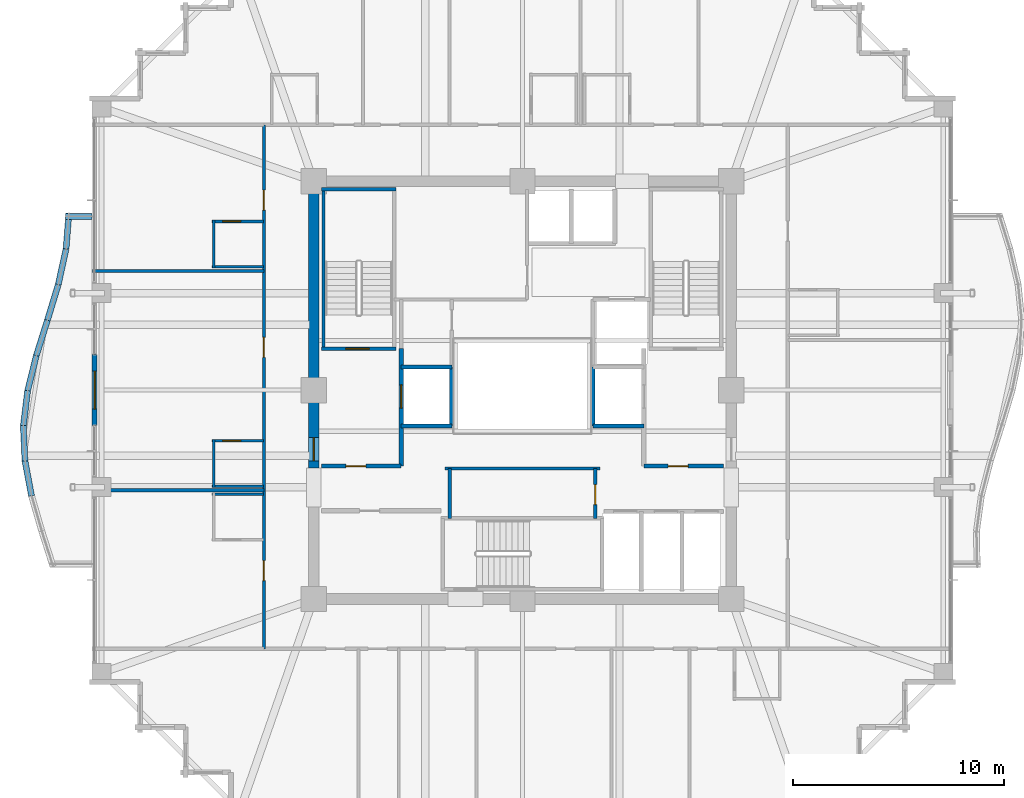
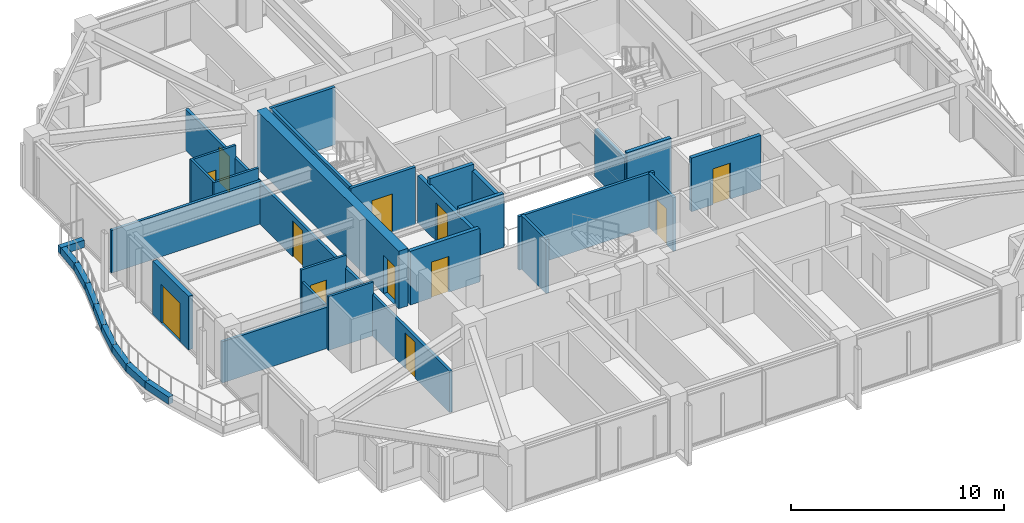
# One storey, part 30 of 35: 35 walls, 12 doors, 12 openings.
"""IFC4 building model written with IfcOpenShell, lengths in metres."""

from ifc_helpers import new_model, si_unit, direction, frame, frame_2d, origin, place, context, subcontext, project, spatial, rectangle, extrude, material, layer, layer_set, type_object, element, fill, save


model = new_model("IFC4")

# Units and contexts
model_context = context("Model", 3, precision=1e-05, world=origin(), true_north=direction((0.0, 1.0)))
body_context = subcontext(model_context, "Body", "Model", "MODEL_VIEW")
ifc_project = project(units=[si_unit("LENGTHUNIT", "METRE"), si_unit("AREAUNIT", "SQUARE_METRE"), si_unit("VOLUMEUNIT", "CUBIC_METRE"), si_unit("PLANEANGLEUNIT", "RADIAN"), si_unit("MASSUNIT", "GRAM", prefix="KILO")], contexts=[model_context])

# Site, building, storey
site_placement = place(None, origin())
site = spatial("IfcSite", under=ifc_project, at=site_placement, CompositionType="ELEMENT")
building_placement = place(site_placement, origin())
building = spatial("IfcBuilding", under=site, at=building_placement, Name="Kolvaren Belvedere", CompositionType="ELEMENT")
storey_placement = place(building_placement, frame((0.0, 0.0, 176.699951171875)))
storey = spatial("IfcBuildingStorey", under=building, at=storey_placement, Name="L51", CompositionType="ELEMENT", Elevation=176.699951171875)

# Wall, opening, door
ifc_material_1 = material(Name="Concrete C50/60", Category="concrete")
ifc_layer_1 = layer(ifc_material_1, 0.5)
ifc_layer_set_1 = layer_set([ifc_layer_1], Name="Concrete C50/60")
wall_type_1 = type_object("IfcWallType", Name="CW-CORE-500", PredefinedType="SHEAR", material=ifc_layer_set_1)
wall_1_placement = place(storey_placement, frame((-9.89990234375, -3.699951171875, 0.0), z_axis=(0.0, 0.0, 1.0), x_axis=(0.0, 1.0, 0.0)))
wall_1 = element("IfcWall", 1, at=wall_1_placement, inside=storey, type_object=wall_type_1, Name="L51 West Core Shear Wall 2", PredefinedType="SHEAR", context=body_context, shape_type="SweptSolid", body=[
    extrude(rectangle(XDim=13.349853515625, YDim=0.5, at=frame_2d((6.6748046875, 0.0))), origin(), (0.0, 0.0, 1.0), 3.300048828125),
])
opening_1_placement = place(wall_1_placement, frame((0.35009765625, 0.0, 0.0)))
opening_1 = element("IfcOpeningElement", 2, at=opening_1_placement, cuts=wall_1, Name="Opening D-FD90", PredefinedType="OPENING", context=body_context, shape_type="SweptSolid", body=[
    extrude(rectangle(XDim=1.10009765625, YDim=2.199951171875, at=frame_2d((0.550048828125, 1.10009765625))), frame((0.0, 0.260009765625, 0.0), z_axis=(0.0, -1.0, 0.0), x_axis=(1.0, 0.0, 0.0)), (0.0, 0.0, 1.0), 0.52001953125),
])
ifc_material_2 = material(Name="Painted hollow stainless steel", Category="steel")
door_type_1 = type_object("IfcDoorType", Name="DR-FD90-1100", OperationType="NOTDEFINED", PredefinedType="DOOR", material=ifc_material_2)
door_1_placement = place(opening_1_placement, origin())
door_1 = element("IfcDoor", 3, at=door_1_placement, inside=storey, type_object=door_type_1, Name="L51 West Firefighting Lobby Fire Door", OperationType="SINGLE_SWING_LEFT", OverallHeight=2.199951171875, OverallWidth=1.10009765625, PredefinedType="DOOR", context=body_context, shape_type="SweptSolid", body=[
    extrude(rectangle(XDim=1.10009765625, YDim=2.199951171875, at=frame_2d((0.550048828125, 1.10009765625))), frame((0.0, 0.02490234375, 0.0), z_axis=(0.0, -1.0, 0.0), x_axis=(1.0, 0.0, 0.0)), (0.0, 0.0, 1.0), 0.050048828125),
])
fill(opening_1, door_1)

ifc_material_3 = material(Name="Concrete C50/60", Category="concrete")
ifc_layer_2 = layer(ifc_material_3, 0.159912109375)
ifc_layer_set_2 = layer_set([ifc_layer_2], Name="Concrete C50/60")
wall_type_2 = type_object("IfcWallType", Name="CW-STAIR-160", PredefinedType="SHEAR", material=ifc_layer_set_2)
wall_2_placement = place(storey_placement, frame((-9.52001953125, 1.969970703125, 0.0), z_axis=(0.0, 0.0, 1.0), x_axis=(1.0, 0.0, 0.0)))
wall_2 = element("IfcWall", 4, at=wall_2_placement, inside=storey, type_object=wall_type_2, Name="L51 Stair ST-1 South Shear Wall", PredefinedType="SHEAR", context=body_context, shape_type="SweptSolid", body=[
    extrude(rectangle(XDim=3.52001953125, YDim=0.159912109375, at=frame_2d((1.760009765625, 0.0))), origin(), (0.0, 0.0, 1.0), 3.300048828125),
])
opening_2_placement = place(wall_2_placement, frame((1.14990234375, 0.0, 0.0)))
opening_2 = element("IfcOpeningElement", 5, at=opening_2_placement, cuts=wall_2, Name="Opening D-FD90", PredefinedType="OPENING", context=body_context, shape_type="SweptSolid", body=[
    extrude(rectangle(XDim=1.10009765625, YDim=2.199951171875, at=frame_2d((0.550048828125, 1.10009765625))), frame((0.0, 0.08984375, 0.0), z_axis=(0.0, -1.0, 0.0), x_axis=(1.0, 0.0, 0.0)), (0.0, 0.0, 1.0), 0.179931640625),
])
door_2_placement = place(opening_2_placement, origin())
door_2 = element("IfcDoor", 6, at=door_2_placement, inside=storey, type_object=door_type_1, Name="L51 Stair ST-1 Fire Door", OperationType="SINGLE_SWING_LEFT", OverallHeight=2.199951171875, OverallWidth=1.10009765625, PredefinedType="DOOR", context=body_context, shape_type="SweptSolid", body=[
    extrude(rectangle(XDim=1.10009765625, YDim=2.199951171875, at=frame_2d((0.550048828125, 1.10009765625))), frame((0.0, 0.02490234375, 0.0), z_axis=(0.0, -1.0, 0.0), x_axis=(1.0, 0.0, 0.0)), (0.0, 0.0, 1.0), 0.050048828125),
])
fill(opening_2, door_2)

# Walls
wall_3_placement = place(storey_placement, frame((-9.52001953125, 9.530029296875, 0.0), z_axis=(0.0, 0.0, 1.0), x_axis=(1.0, 0.0, 0.0)))
element("IfcWall", 7, at=wall_3_placement, inside=storey, type_object=wall_type_2, Name="L51 Stair ST-1 North Shear Wall", PredefinedType="SHEAR", context=body_context, shape_type="SweptSolid", body=[
    extrude(rectangle(XDim=3.52001953125, YDim=0.159912109375, at=frame_2d((1.760009765625, 0.0))), origin(), (0.0, 0.0, 1.0), 3.300048828125),
])
wall_4_placement = place(storey_placement, frame((-9.429931640625, 1.969970703125, 0.0), z_axis=(0.0, 0.0, 1.0), x_axis=(0.0, 1.0, 0.0)))
element("IfcWall", 8, at=wall_4_placement, inside=storey, type_object=wall_type_2, Name="L51 Stair ST-1 West Shear Wall", PredefinedType="SHEAR", context=body_context, shape_type="SweptSolid", body=[
    extrude(rectangle(XDim=7.56005859375, YDim=0.159912109375, at=frame_2d((3.780029296875, 0.0))), origin(), (0.0, 0.0, 1.0), 3.300048828125),
])

# Wall, openings, doors
ifc_material_4 = material(Name="Gypsum fire-rated partition assembly", Category="gypsum")
ifc_layer_3 = layer(ifc_material_4, 0.14990234375)
ifc_layer_set_3 = layer_set([ifc_layer_3], Name="Gypsum fire-rated partition assembly")
wall_type_3 = type_object("IfcWallType", Name="WL-CORR-150", PredefinedType="PARTITIONING", material=ifc_layer_set_3)
wall_5_placement = place(storey_placement, frame((-12.260009765625, -12.260009765625, 0.0), z_axis=(0.0, 0.0, 1.0), x_axis=(0.0, 1.0, 0.0)))
wall_5 = element("IfcWall", 9, at=wall_5_placement, inside=storey, type_object=wall_type_3, Name="L51 West Corridor Wall", PredefinedType="PARTITIONING", context=body_context, shape_type="SweptSolid", body=[
    extrude(rectangle(XDim=24.840087890625, YDim=0.14990234375, at=frame_2d((12.419921875, 0.0))), origin(), (0.0, 0.0, 1.0), 2.369140625),
])
opening_3_placement = place(wall_5_placement, frame((3.228515625, 0.0, 0.0)))
opening_3 = element("IfcOpeningElement", 10, at=opening_3_placement, cuts=wall_5, Name="Opening D-FD60", PredefinedType="OPENING", context=body_context, shape_type="SweptSolid", body=[
    extrude(rectangle(XDim=0.949951171875, YDim=2.06005859375, at=frame_2d((0.47509765625, 1.030029296875))), frame((0.0, 0.0849609375, 0.0), z_axis=(0.0, -1.0, 0.0), x_axis=(1.0, 0.0, 0.0)), (0.0, 0.0, 1.0), 0.169921875),
])
opening_4_placement = place(wall_5_placement, frame((13.81494140625, 0.0, 0.0)))
opening_4 = element("IfcOpeningElement", 11, at=opening_4_placement, cuts=wall_5, Name="Opening D-FD60", PredefinedType="OPENING", context=body_context, shape_type="SweptSolid", body=[
    extrude(rectangle(XDim=0.949951171875, YDim=2.06005859375, at=frame_2d((0.47509765625, 1.030029296875))), frame((0.0, 0.0849609375, 0.0), z_axis=(0.0, -1.0, 0.0), x_axis=(1.0, 0.0, 0.0)), (0.0, 0.0, 1.0), 0.169921875),
])
opening_5_placement = place(wall_5_placement, frame((20.79345703125, 0.0, 0.0)))
opening_5 = element("IfcOpeningElement", 12, at=opening_5_placement, cuts=wall_5, Name="Opening D-FD60", PredefinedType="OPENING", context=body_context, shape_type="SweptSolid", body=[
    extrude(rectangle(XDim=0.949951171875, YDim=2.06005859375, at=frame_2d((0.47509765625, 1.030029296875))), frame((0.0, 0.0849609375, 0.0), z_axis=(0.0, -1.0, 0.0), x_axis=(1.0, 0.0, 0.0)), (0.0, 0.0, 1.0), 0.169921875),
])
ifc_material_5 = material(Name="Acoustic white-oak fire door leaf", Category="timber")
door_type_2 = type_object("IfcDoorType", Name="DR-FD60-950", OperationType="NOTDEFINED", PredefinedType="DOOR", material=ifc_material_5)
door_3_placement = place(opening_3_placement, origin())
door_3 = element("IfcDoor", 13, at=door_3_placement, inside=storey, type_object=door_type_2, Name="L51 Twin Guest Room 5107 Entry Door", OperationType="SINGLE_SWING_RIGHT", OverallHeight=2.06005859375, OverallWidth=0.949951171875, PredefinedType="DOOR", context=body_context, shape_type="SweptSolid", body=[
    extrude(rectangle(XDim=0.949951171875, YDim=2.06005859375, at=frame_2d((0.47509765625, 1.030029296875))), frame((0.0, 0.02490234375, 0.0), z_axis=(0.0, -1.0, 0.0), x_axis=(1.0, 0.0, 0.0)), (0.0, 0.0, 1.0), 0.050048828125),
])
fill(opening_3, door_3)
door_4_placement = place(opening_4_placement, origin())
door_4 = element("IfcDoor", 14, at=door_4_placement, inside=storey, type_object=door_type_2, Name="L51 Deluxe King Guest Room 5108 Entry Door", OperationType="SINGLE_SWING_RIGHT", OverallHeight=2.06005859375, OverallWidth=0.949951171875, PredefinedType="DOOR", context=body_context, shape_type="SweptSolid", body=[
    extrude(rectangle(XDim=0.949951171875, YDim=2.06005859375, at=frame_2d((0.47509765625, 1.030029296875))), frame((0.0, 0.02490234375, 0.0), z_axis=(0.0, -1.0, 0.0), x_axis=(1.0, 0.0, 0.0)), (0.0, 0.0, 1.0), 0.050048828125),
])
fill(opening_4, door_4)
door_5_placement = place(opening_5_placement, origin())
door_5 = element("IfcDoor", 15, at=door_5_placement, inside=storey, type_object=door_type_2, Name="L51 Twin Guest Room 5109 Entry Door", OperationType="SINGLE_SWING_RIGHT", OverallHeight=2.06005859375, OverallWidth=0.949951171875, PredefinedType="DOOR", context=body_context, shape_type="SweptSolid", body=[
    extrude(rectangle(XDim=0.949951171875, YDim=2.06005859375, at=frame_2d((0.47509765625, 1.030029296875))), frame((0.0, 0.02490234375, 0.0), z_axis=(0.0, -1.0, 0.0), x_axis=(1.0, 0.0, 0.0)), (0.0, 0.0, 1.0), 0.050048828125),
])
fill(opening_5, door_5)

# Wall, opening, door
ifc_material_6 = material(Name="Insulated pale-metal facade wall assembly", Category="aluminium")
ifc_layer_4 = layer(ifc_material_6, 0.239990234375)
ifc_layer_set_4 = layer_set([ifc_layer_4], Name="Insulated pale-metal facade wall assembly")
wall_type_4 = type_object("IfcWallType", Name="WL-EXT-240", PredefinedType="STANDARD", material=ifc_layer_set_4)
wall_6_placement = place(storey_placement, frame((-20.280029296875, -1.679931640625, 0.0), z_axis=(0.0, 0.0, 1.0), x_axis=(0.0, 1.0, 0.0)))
wall_6 = element("IfcWall", 16, at=wall_6_placement, inside=storey, type_object=wall_type_4, Name="L51 West Terrace Portal Wall", PredefinedType="STANDARD", context=body_context, shape_type="SweptSolid", body=[
    extrude(rectangle(XDim=3.35986328125, YDim=0.239990234375, at=frame_2d((1.679931640625, 0.0))), origin(), (0.0, 0.0, 1.0), 3.080078125),
])
opening_6_placement = place(wall_6_placement, frame((0.780029296875, 0.0, 0.0)))
opening_6 = element("IfcOpeningElement", 17, at=opening_6_placement, cuts=wall_6, Name="Opening DB-1800", PredefinedType="OPENING", context=body_context, shape_type="SweptSolid", body=[
    extrude(rectangle(XDim=1.800048828125, YDim=2.199951171875, at=frame_2d((0.89990234375, 1.10009765625))), frame((0.0, 0.1298828125, 0.0), z_axis=(0.0, -1.0, 0.0), x_axis=(1.0, 0.0, 0.0)), (0.0, 0.0, 1.0), 0.260009765625),
])
ifc_material_7 = material(Name="Thermally broken pale-metal aluminium & low-iron glass", Category="aluminium")
door_type_3 = type_object("IfcDoorType", Name="DR-BAL-1800", OperationType="DOUBLE_DOOR_SLIDING", PredefinedType="DOOR", material=ifc_material_7)
door_6_placement = place(opening_6_placement, origin())
door_6 = element("IfcDoor", 18, at=door_6_placement, inside=storey, type_object=door_type_3, Name="L51 West Planted Terrace Sliding Door", OperationType="DOUBLE_DOOR_SLIDING", OverallHeight=2.199951171875, OverallWidth=1.800048828125, PredefinedType="DOOR", context=body_context, shape_type="SweptSolid", body=[
    extrude(rectangle(XDim=1.800048828125, YDim=2.199951171875, at=frame_2d((0.89990234375, 1.10009765625))), frame((0.0, 0.02490234375, 0.0), z_axis=(0.0, -1.0, 0.0), x_axis=(1.0, 0.0, 0.0)), (0.0, 0.0, 1.0), 0.050048828125),
])
fill(opening_6, door_6)

# Wall
ifc_material_8 = material(Name="Gypsum acoustic partition assembly", Category="gypsum")
ifc_layer_5 = layer(ifc_material_8, 0.14990234375)
ifc_layer_set_5 = layer_set([ifc_layer_5], Name="Gypsum acoustic partition assembly")
wall_type_5 = type_object("IfcWallType", Name="WL-PART-150", PredefinedType="PARTITIONING", material=ifc_layer_set_5)
wall_7_placement = place(storey_placement, frame((-3.679931640625, -3.719970703125, 0.0), z_axis=(0.0, 0.0, 1.0), x_axis=(1.0, 0.0, 0.0)))
element("IfcWall", 19, at=wall_7_placement, inside=storey, type_object=wall_type_5, Name="L51 South Core Service North Wall", PredefinedType="PARTITIONING", context=body_context, shape_type="SweptSolid", body=[
    extrude(rectangle(XDim=7.35986328125, YDim=0.14990234375, at=frame_2d((3.679931640625, 0.0))), origin(), (0.0, 0.0, 1.0), 3.080078125),
])

# Wall, opening, door
wall_8_placement = place(storey_placement, frame((3.449951171875, -6.080078125, 0.0), z_axis=(0.0, 0.0, 1.0), x_axis=(0.0, 1.0, 0.0)))
wall_8 = element("IfcWall", 20, at=wall_8_placement, inside=storey, type_object=wall_type_5, Name="L51 South Core Service East Wall", PredefinedType="PARTITIONING", context=body_context, shape_type="SweptSolid", body=[
    extrude(rectangle(XDim=2.360107421875, YDim=0.14990234375, at=frame_2d((1.18017578125, 0.0))), origin(), (0.0, 0.0, 1.0), 3.080078125),
])
opening_7_placement = place(wall_8_placement, frame((0.64990234375, 0.0, 0.0)))
opening_7 = element("IfcOpeningElement", 21, at=opening_7_placement, cuts=wall_8, Name="Opening D-FD60", PredefinedType="OPENING", context=body_context, shape_type="SweptSolid", body=[
    extrude(rectangle(XDim=0.949951171875, YDim=2.06005859375, at=frame_2d((0.47509765625, 1.030029296875))), frame((0.0, 0.0849609375, 0.0), z_axis=(0.0, -1.0, 0.0), x_axis=(1.0, 0.0, 0.0)), (0.0, 0.0, 1.0), 0.169921875),
])
door_7_placement = place(opening_7_placement, origin())
door_7 = element("IfcDoor", 22, at=door_7_placement, inside=storey, type_object=door_type_2, Name="L51 Core Service Room Door", OperationType="SINGLE_SWING_LEFT", OverallHeight=2.06005859375, OverallWidth=0.949951171875, PredefinedType="DOOR", context=body_context, shape_type="SweptSolid", body=[
    extrude(rectangle(XDim=0.949951171875, YDim=2.06005859375, at=frame_2d((0.47509765625, 1.030029296875))), frame((0.0, 0.02490234375, 0.0), z_axis=(0.0, -1.0, 0.0), x_axis=(1.0, 0.0, 0.0)), (0.0, 0.0, 1.0), 0.050048828125),
])
fill(opening_7, door_7)

# Walls
wall_9_placement = place(storey_placement, frame((-3.449951171875, -6.080078125, 0.0), z_axis=(0.0, 0.0, 1.0), x_axis=(0.0, 1.0, 0.0)))
element("IfcWall", 23, at=wall_9_placement, inside=storey, type_object=wall_type_5, Name="L51 South Core Service West Wall", PredefinedType="PARTITIONING", context=body_context, shape_type="SweptSolid", body=[
    extrude(rectangle(XDim=2.360107421875, YDim=0.14990234375, at=frame_2d((1.18017578125, 0.0))), origin(), (0.0, 0.0, 1.0), 3.080078125),
])
wall_10_placement = place(storey_placement, frame((-20.3798828125, -4.748046875, 0.0), z_axis=(0.0, 0.0, 1.0), x_axis=(1.0, 0.0, 0.0)))
element("IfcWall", 24, at=wall_10_placement, inside=storey, type_object=wall_type_5, Name="L51 West Suite Demising Wall 1", PredefinedType="PARTITIONING", context=body_context, shape_type="SweptSolid", body=[
    extrude(rectangle(XDim=8.119873046875, YDim=0.14990234375, at=frame_2d((4.06005859375, 0.0))), origin(), (0.0, 0.0, 1.0), 2.369140625),
])
wall_11_placement = place(storey_placement, frame((-20.3798828125, 5.652099609375, 0.0), z_axis=(0.0, 0.0, 1.0), x_axis=(1.0, 0.0, 0.0)))
element("IfcWall", 25, at=wall_11_placement, inside=storey, type_object=wall_type_5, Name="L51 West Suite Demising Wall 2", PredefinedType="PARTITIONING", context=body_context, shape_type="SweptSolid", body=[
    extrude(rectangle(XDim=8.119873046875, YDim=0.14990234375, at=frame_2d((4.06005859375, 0.0))), origin(), (0.0, 0.0, 1.0), 2.453125),
])
ifc_material_9 = material(Name="Precast concrete C40/50", Category="concrete")
ifc_layer_6 = layer(ifc_material_9, 0.300048828125)
ifc_layer_set_6 = layer_set([ifc_layer_6], Name="Precast concrete C40/50")
wall_type_6 = type_object("IfcWallType", Name="WL-PLANTER-300", PredefinedType="PARAPET", material=ifc_layer_set_6)
wall_12_placement = place(storey_placement, frame((-21.50048828125, 8.38720703125, -0.0400390625), z_axis=(0.0, 0.0, 1.0), x_axis=(-0.079244268248, -0.99685522818, 0.0)))
element("IfcWall", 26, at=wall_12_placement, inside=storey, type_object=wall_type_6, Name="L51 Precast Structural Planter Wall BAL-W-1", PredefinedType="PARAPET", context=body_context, shape_type="SweptSolid", body=[
    extrude(rectangle(XDim=1.685302734375, YDim=0.280029296875, at=frame_2d((0.8427734375, 0.0))), origin(), (0.0, 0.0, 1.0), 0.420166015625),
])
wall_13_placement = place(storey_placement, frame((-21.63720703125, 6.685791015625, -0.0400390625), z_axis=(0.0, 0.0, 1.0), x_axis=(-0.213802724545, -0.976876857632, 0.0)))
element("IfcWall", 27, at=wall_13_placement, inside=storey, type_object=wall_type_6, Name="L51 Precast Structural Planter Wall BAL-W-2", PredefinedType="PARAPET", context=body_context, shape_type="SweptSolid", body=[
    extrude(rectangle(XDim=1.7197265625, YDim=0.280029296875, at=frame_2d((0.85986328125, 0.0))), origin(), (0.0, 0.0, 1.0), 0.420166015625),
])
wall_14_placement = place(storey_placement, frame((-22.00830078125, 4.993408203125, -0.0400390625), z_axis=(0.0, 0.0, 1.0), x_axis=(-0.290879426191, -0.956759718748, 0.0)))
element("IfcWall", 28, at=wall_14_placement, inside=storey, type_object=wall_type_6, Name="L51 Precast Structural Planter Wall BAL-W-3", PredefinedType="PARAPET", context=body_context, shape_type="SweptSolid", body=[
    extrude(rectangle(XDim=1.755859375, YDim=0.280029296875, at=frame_2d((0.8779296875, 0.0))), origin(), (0.0, 0.0, 1.0), 0.420166015625),
])
wall_15_placement = place(storey_placement, frame((-22.51953125, 3.31201171875, -0.0400390625), z_axis=(0.0, 0.0, 1.0), x_axis=(-0.299624691176, -0.954057149461, 0.0)))
element("IfcWall", 29, at=wall_15_placement, inside=storey, type_object=wall_type_6, Name="L51 Precast Structural Planter Wall BAL-W-4", PredefinedType="PARAPET", context=body_context, shape_type="SweptSolid", body=[
    extrude(rectangle(XDim=1.7607421875, YDim=0.280029296875, at=frame_2d((0.88037109375, 0.0))), origin(), (0.0, 0.0, 1.0), 0.420166015625),
])
wall_16_placement = place(storey_placement, frame((-23.04443359375, 1.6416015625, -0.0400390625), z_axis=(0.0, 0.0, 1.0), x_axis=(-0.239180748277, -0.970975061293, 0.0)))
element("IfcWall", 30, at=wall_16_placement, inside=storey, type_object=wall_type_6, Name="L51 Precast Structural Planter Wall BAL-W-5", PredefinedType="PARAPET", context=body_context, shape_type="SweptSolid", body=[
    extrude(rectangle(XDim=1.730224609375, YDim=0.280029296875, at=frame_2d((0.865234375, 0.0))), origin(), (0.0, 0.0, 1.0), 0.420166015625),
])
wall_17_placement = place(storey_placement, frame((-23.454833984375, -0.01953125, -0.0400390625), z_axis=(0.0, 0.0, 1.0), x_axis=(-0.121886315522, -0.99254406758, 0.0)))
element("IfcWall", 31, at=wall_17_placement, inside=storey, type_object=wall_type_6, Name="L51 Precast Structural Planter Wall BAL-W-6", PredefinedType="PARAPET", context=body_context, shape_type="SweptSolid", body=[
    extrude(rectangle(XDim=1.692626953125, YDim=0.280029296875, at=frame_2d((0.84619140625, 0.0))), origin(), (0.0, 0.0, 1.0), 0.420166015625),
])
wall_18_placement = place(storey_placement, frame((-23.66015625, -1.6728515625, -0.0400390625), z_axis=(0.0, 0.0, 1.0), x_axis=(0.045005941428, -0.998986719249, 0.0)))
element("IfcWall", 32, at=wall_18_placement, inside=storey, type_object=wall_type_6, Name="L51 Precast Structural Planter Wall BAL-W-7", PredefinedType="PARAPET", context=body_context, shape_type="SweptSolid", body=[
    extrude(rectangle(XDim=1.681640625, YDim=0.280029296875, at=frame_2d((0.8408203125, 0.0))), origin(), (0.0, 0.0, 1.0), 0.420166015625),
])
wall_19_placement = place(storey_placement, frame((-23.5869140625, -3.330322265625, -0.0400390625), z_axis=(0.0, 0.0, 1.0), x_axis=(0.184650661912, -0.982804219087, 0.0)))
element("IfcWall", 33, at=wall_19_placement, inside=storey, type_object=wall_type_6, Name="L51 Precast Structural Planter Wall BAL-W-8", PredefinedType="PARAPET", context=body_context, shape_type="SweptSolid", body=[
    extrude(rectangle(XDim=1.70947265625, YDim=0.280029296875, at=frame_2d((0.854736328125, 0.0))), origin(), (0.0, 0.0, 1.0), 0.420166015625),
])
wall_20_placement = place(storey_placement, frame((-20.39990234375, 8.239990234375, -0.0400390625), z_axis=(0.0, 0.0, 1.0), x_axis=(-1.0, 0.0, 0.0)))
element("IfcWall", 34, at=wall_20_placement, inside=storey, type_object=wall_type_6, Name="L51 Precast Structural Planter Wall BAL-W-22", PredefinedType="PARAPET", context=body_context, shape_type="SweptSolid", body=[
    extrude(rectangle(XDim=1.260009765625, YDim=0.280029296875, at=frame_2d((0.6298828125, 0.0))), origin(), (0.0, 0.0, 1.0), 0.420166015625),
])

# Wall, opening, door
ifc_material_10 = material(Name="Concrete C50/60", Category="concrete")
ifc_layer_7 = layer(ifc_material_10, 0.199951171875)
ifc_layer_set_7 = layer_set([ifc_layer_7], Name="Concrete C50/60")
wall_type_7 = type_object("IfcWallType", Name="WL-SHAFT-200", PredefinedType="SOLIDWALL", material=ifc_layer_set_7)
wall_21_placement = place(storey_placement, frame((-9.52001953125, -3.60009765625, 0.0), z_axis=(0.0, 0.0, 1.0), x_axis=(1.0, 0.0, 0.0)))
wall_21 = element("IfcWall", 35, at=wall_21_placement, inside=storey, type_object=wall_type_7, Name="L51 West FSAE Lobby South Wall", PredefinedType="SOLIDWALL", context=body_context, shape_type="SweptSolid", body=[
    extrude(rectangle(XDim=3.77001953125, YDim=0.199951171875, at=frame_2d((1.885009765625, 0.0))), origin(), (0.0, 0.0, 1.0), 3.080078125),
])
opening_8_placement = place(wall_21_placement, frame((1.14990234375, 0.0, 0.0)))
opening_8 = element("IfcOpeningElement", 36, at=opening_8_placement, cuts=wall_21, Name="Opening D-FD60", PredefinedType="OPENING", context=body_context, shape_type="SweptSolid", body=[
    extrude(rectangle(XDim=0.949951171875, YDim=2.06005859375, at=frame_2d((0.47509765625, 1.030029296875))), frame((0.0, 0.10986328125, 0.0), z_axis=(0.0, -1.0, 0.0), x_axis=(1.0, 0.0, 0.0)), (0.0, 0.0, 1.0), 0.219970703125),
])
door_8_placement = place(opening_8_placement, origin())
door_8 = element("IfcDoor", 37, at=door_8_placement, inside=storey, type_object=door_type_2, Name="L51 SW Lobby Fire Door", OperationType="SINGLE_SWING_LEFT", OverallHeight=2.06005859375, OverallWidth=0.949951171875, PredefinedType="DOOR", context=body_context, shape_type="SweptSolid", body=[
    extrude(rectangle(XDim=0.949951171875, YDim=2.06005859375, at=frame_2d((0.47509765625, 1.030029296875))), frame((0.0, 0.02490234375, 0.0), z_axis=(0.0, -1.0, 0.0), x_axis=(1.0, 0.0, 0.0)), (0.0, 0.0, 1.0), 0.050048828125),
])
fill(opening_8, door_8)

wall_22_placement = place(storey_placement, frame((-5.75, -3.60009765625, 0.0), z_axis=(0.0, 0.0, 1.0), x_axis=(0.0, 1.0, 0.0)))
wall_22 = element("IfcWall", 38, at=wall_22_placement, inside=storey, type_object=wall_type_7, Name="L51 FSAE FS1 Landing Wall", PredefinedType="SOLIDWALL", context=body_context, shape_type="SweptSolid", body=[
    extrude(rectangle(XDim=5.570068359375, YDim=0.199951171875, at=frame_2d((2.78515625, 0.0))), origin(), (0.0, 0.0, 1.0), 2.715087890625),
])
opening_9_placement = place(wall_22_placement, frame((2.75, 0.0, 0.0)))
opening_9 = element("IfcOpeningElement", 39, at=opening_9_placement, cuts=wall_22, Name="Opening LD-11", PredefinedType="OPENING", context=body_context, shape_type="SweptSolid", body=[
    extrude(rectangle(XDim=1.10009765625, YDim=2.199951171875, at=frame_2d((0.550048828125, 1.10009765625))), frame((0.0, 0.10986328125, 0.0), z_axis=(0.0, -1.0, 0.0), x_axis=(1.0, 0.0, 0.0)), (0.0, 0.0, 1.0), 0.219970703125),
])
ifc_material_11 = material(Name="Brushed stainless steel", Category="steel")
door_type_4 = type_object("IfcDoorType", Name="DR-LIFT-1100", OperationType="DOUBLE_DOOR_SLIDING", PredefinedType="DOOR", material=ifc_material_11)
door_9_placement = place(opening_9_placement, origin())
door_9 = element("IfcDoor", 40, at=door_9_placement, inside=storey, type_object=door_type_4, Name="L51 Firefighting Lift FS1 Landing Door", OperationType="DOUBLE_DOOR_SLIDING", OverallHeight=2.199951171875, OverallWidth=1.10009765625, PredefinedType="DOOR", context=body_context, shape_type="SweptSolid", body=[
    extrude(rectangle(XDim=1.10009765625, YDim=2.199951171875, at=frame_2d((0.550048828125, 1.10009765625))), frame((0.0, 0.02490234375, 0.0), z_axis=(0.0, -1.0, 0.0), x_axis=(1.0, 0.0, 0.0)), (0.0, 0.0, 1.0), 0.050048828125),
])
fill(opening_9, door_9)

# Walls
wall_23_placement = place(storey_placement, frame((-3.35009765625, -1.699951171875, 0.0), z_axis=(0.0, 0.0, 1.0), x_axis=(0.0, 1.0, 0.0)))
element("IfcWall", 41, at=wall_23_placement, inside=storey, type_object=wall_type_7, Name="L51 FSAE FS1 Back Wall", PredefinedType="SOLIDWALL", context=body_context, shape_type="SweptSolid", body=[
    extrude(rectangle(XDim=2.800048828125, YDim=0.199951171875, at=frame_2d((1.39990234375, 0.0))), origin(), (0.0, 0.0, 1.0), 2.715087890625),
])
for number, where, z_axis, x_axis, name in (
    (42, (-5.75, -1.699951171875, 0.0), (0.0, 0.0, 1.0), (1.0, 0.0, 0.0), "L51 FSAE FS1 South Wall"),
    (43, (-5.75, 1.10009765625, 0.0), (0.0, 0.0, 1.0), (1.0, 0.0, 0.0), "L51 FSAE FS1 North Wall"),
):
    element("IfcWall", number, at=place(storey_placement, frame(where, z_axis=z_axis, x_axis=x_axis)), inside=storey, type_object=wall_type_7, Name=name, PredefinedType="SOLIDWALL", context=body_context, shape_type="SweptSolid", body=[
        extrude(rectangle(XDim=2.39990234375, YDim=0.199951171875, at=frame_2d((1.199951171875, 0.0))), origin(), (0.0, 0.0, 1.0), 3.080078125),
    ])

# Wall, opening, door
wall_24_placement = place(storey_placement, frame((5.75, -3.60009765625, 0.0), z_axis=(0.0, 0.0, 1.0), x_axis=(1.0, 0.0, 0.0)))
wall_24 = element("IfcWall", 44, at=wall_24_placement, inside=storey, type_object=wall_type_7, Name="L51 East FSAE Lobby South Wall", PredefinedType="SOLIDWALL", context=body_context, shape_type="SweptSolid", body=[
    extrude(rectangle(XDim=3.77001953125, YDim=0.199951171875, at=frame_2d((1.885009765625, 0.0))), origin(), (0.0, 0.0, 1.0), 3.080078125),
])
opening_10_placement = place(wall_24_placement, frame((1.14990234375, 0.0, 0.0)))
opening_10 = element("IfcOpeningElement", 45, at=opening_10_placement, cuts=wall_24, Name="Opening D-FD60", PredefinedType="OPENING", context=body_context, shape_type="SweptSolid", body=[
    extrude(rectangle(XDim=0.949951171875, YDim=2.06005859375, at=frame_2d((0.47509765625, 1.030029296875))), frame((0.0, 0.10986328125, 0.0), z_axis=(0.0, -1.0, 0.0), x_axis=(1.0, 0.0, 0.0)), (0.0, 0.0, 1.0), 0.219970703125),
])
door_10_placement = place(opening_10_placement, origin())
door_10 = element("IfcDoor", 46, at=door_10_placement, inside=storey, type_object=door_type_2, Name="L51 SE Lift Lobby Fire Door", OperationType="SINGLE_SWING_RIGHT", OverallHeight=2.06005859375, OverallWidth=0.949951171875, PredefinedType="DOOR", context=body_context, shape_type="SweptSolid", body=[
    extrude(rectangle(XDim=0.949951171875, YDim=2.06005859375, at=frame_2d((0.47509765625, 1.030029296875))), frame((0.0, 0.02490234375, 0.0), z_axis=(0.0, -1.0, 0.0), x_axis=(1.0, 0.0, 0.0)), (0.0, 0.0, 1.0), 0.050048828125),
])
fill(opening_10, door_10)

# Walls
wall_25_placement = place(storey_placement, frame((3.35009765625, -1.699951171875, 0.0), z_axis=(0.0, 0.0, 1.0), x_axis=(0.0, 1.0, 0.0)))
element("IfcWall", 47, at=wall_25_placement, inside=storey, type_object=wall_type_7, Name="L51 FSAE FS2 Back Wall", PredefinedType="SOLIDWALL", context=body_context, shape_type="SweptSolid", body=[
    extrude(rectangle(XDim=2.800048828125, YDim=0.199951171875, at=frame_2d((1.39990234375, 0.0))), origin(), (0.0, 0.0, 1.0), 2.715087890625),
])
wall_26_placement = place(storey_placement, frame((3.35009765625, -1.699951171875, 0.0), z_axis=(0.0, 0.0, 1.0), x_axis=(1.0, 0.0, 0.0)))
element("IfcWall", 48, at=wall_26_placement, inside=storey, type_object=wall_type_7, Name="L51 FSAE FS2 South Wall", PredefinedType="SOLIDWALL", context=body_context, shape_type="SweptSolid", body=[
    extrude(rectangle(XDim=2.39990234375, YDim=0.199951171875, at=frame_2d((1.199951171875, 0.0))), origin(), (0.0, 0.0, 1.0), 3.080078125),
])
ifc_material_12 = material(Name="Moisture-resistant gypsum partition", Category="gypsum")
ifc_layer_8 = layer(ifc_material_12, 0.125)
ifc_layer_set_8 = layer_set([ifc_layer_8], Name="Moisture-resistant gypsum partition")
wall_type_8 = type_object("IfcWallType", Name="WL-WET-125", PredefinedType="PARTITIONING", material=ifc_layer_set_8)
wall_27_placement = place(storey_placement, frame((-14.715087890625, -4.943115234375, 0.0), z_axis=(0.0, 0.0, 1.0), x_axis=(1.0, 0.0, 0.0)))
element("IfcWall", 49, at=wall_27_placement, inside=storey, type_object=wall_type_8, Name="L51 Bathroom Partition PW-L51-BTH-7-S", PredefinedType="PARTITIONING", context=body_context, shape_type="SweptSolid", body=[
    extrude(rectangle(XDim=2.440185546875, YDim=0.125, at=frame_2d((1.22021484375, 0.0))), origin(), (0.0, 0.0, 1.0), 3.080078125),
])

# Wall, opening, door
wall_28_placement = place(storey_placement, frame((-14.715087890625, -2.403076171875, 0.0), z_axis=(0.0, 0.0, 1.0), x_axis=(1.0, 0.0, 0.0)))
wall_28 = element("IfcWall", 50, at=wall_28_placement, inside=storey, type_object=wall_type_8, Name="L51 Bathroom Partition PW-L51-BTH-8-N", PredefinedType="PARTITIONING", context=body_context, shape_type="SweptSolid", body=[
    extrude(rectangle(XDim=2.440185546875, YDim=0.125, at=frame_2d((1.22021484375, 0.0))), origin(), (0.0, 0.0, 1.0), 3.080078125),
])
opening_11_placement = place(wall_28_placement, frame((0.5, 0.0, 0.0)))
opening_11 = element("IfcOpeningElement", 51, at=opening_11_placement, cuts=wall_28, Name="Opening D-BTH85", PredefinedType="OPENING", context=body_context, shape_type="SweptSolid", body=[
    extrude(rectangle(XDim=0.85009765625, YDim=2.030029296875, at=frame_2d((0.425048828125, 1.01513671875))), frame((0.0, 0.072509765625, 0.0), z_axis=(0.0, -1.0, 0.0), x_axis=(1.0, 0.0, 0.0)), (0.0, 0.0, 1.0), 0.14501953125),
])
ifc_material_13 = material(Name="Moisture-sealed Pacific white oak", Category="timber")
door_type_5 = type_object("IfcDoorType", Name="DR-BATH-850", OperationType="NOTDEFINED", PredefinedType="DOOR", material=ifc_material_13)
door_11_placement = place(opening_11_placement, origin())
door_11 = element("IfcDoor", 52, at=door_11_placement, inside=storey, type_object=door_type_5, Name="L51 En-Suite Bathroom 5108 Door", OperationType="SINGLE_SWING_LEFT", OverallHeight=2.030029296875, OverallWidth=0.85009765625, PredefinedType="DOOR", context=body_context, shape_type="SweptSolid", body=[
    extrude(rectangle(XDim=0.85009765625, YDim=2.030029296875, at=frame_2d((0.425048828125, 1.01513671875))), frame((0.0, 0.02490234375, 0.0), z_axis=(0.0, -1.0, 0.0), x_axis=(1.0, 0.0, 0.0)), (0.0, 0.0, 1.0), 0.050048828125),
])
fill(opening_11, door_11)

# Walls
wall_29_placement = place(storey_placement, frame((-14.635009765625, -4.613037109375, 0.0), z_axis=(0.0, 0.0, 1.0), x_axis=(0.0, 1.0, 0.0)))
element("IfcWall", 53, at=wall_29_placement, inside=storey, type_object=wall_type_8, Name="L51 Bathroom Partition PW-L51-BTH-8-V", PredefinedType="PARTITIONING", context=body_context, shape_type="SweptSolid", body=[
    extrude(rectangle(XDim=2.27001953125, YDim=0.125, at=frame_2d((1.135009765625, 0.0))), origin(), (0.0, 0.0, 1.0), 2.369140625),
])
wall_30_placement = place(storey_placement, frame((-14.715087890625, -4.552978515625, 0.0), z_axis=(0.0, 0.0, 1.0), x_axis=(1.0, 0.0, 0.0)))
element("IfcWall", 54, at=wall_30_placement, inside=storey, type_object=wall_type_8, Name="L51 Bathroom Partition PW-L51-BTH-8-S", PredefinedType="PARTITIONING", context=body_context, shape_type="SweptSolid", body=[
    extrude(rectangle(XDim=2.440185546875, YDim=0.125, at=frame_2d((1.22021484375, 0.0))), origin(), (0.0, 0.0, 1.0), 2.369140625),
])

# Wall, opening, door
wall_31_placement = place(storey_placement, frame((-14.715087890625, 7.9970703125, 0.0), z_axis=(0.0, 0.0, 1.0), x_axis=(1.0, 0.0, 0.0)))
wall_31 = element("IfcWall", 55, at=wall_31_placement, inside=storey, type_object=wall_type_8, Name="L51 Bathroom Partition PW-L51-BTH-9-N", PredefinedType="PARTITIONING", context=body_context, shape_type="SweptSolid", body=[
    extrude(rectangle(XDim=2.440185546875, YDim=0.125, at=frame_2d((1.22021484375, 0.0))), origin(), (0.0, 0.0, 1.0), 3.080078125),
])
opening_12_placement = place(wall_31_placement, frame((0.5, 0.0, 0.0)))
opening_12 = element("IfcOpeningElement", 56, at=opening_12_placement, cuts=wall_31, Name="Opening D-BTH85", PredefinedType="OPENING", context=body_context, shape_type="SweptSolid", body=[
    extrude(rectangle(XDim=0.85009765625, YDim=2.030029296875, at=frame_2d((0.425048828125, 1.01513671875))), frame((0.0, 0.072509765625, 0.0), z_axis=(0.0, -1.0, 0.0), x_axis=(1.0, 0.0, 0.0)), (0.0, 0.0, 1.0), 0.14501953125),
])
door_12_placement = place(opening_12_placement, origin())
door_12 = element("IfcDoor", 57, at=door_12_placement, inside=storey, type_object=door_type_5, Name="L51 En-Suite Bathroom 5109 Door", OperationType="SINGLE_SWING_LEFT", OverallHeight=2.030029296875, OverallWidth=0.85009765625, PredefinedType="DOOR", context=body_context, shape_type="SweptSolid", body=[
    extrude(rectangle(XDim=0.85009765625, YDim=2.030029296875, at=frame_2d((0.425048828125, 1.01513671875))), frame((0.0, 0.02490234375, 0.0), z_axis=(0.0, -1.0, 0.0), x_axis=(1.0, 0.0, 0.0)), (0.0, 0.0, 1.0), 0.050048828125),
])
fill(opening_12, door_12)

# Walls
wall_32_placement = place(storey_placement, frame((-14.635009765625, 5.787109375, 0.0), z_axis=(0.0, 0.0, 1.0), x_axis=(0.0, 1.0, 0.0)))
element("IfcWall", 58, at=wall_32_placement, inside=storey, type_object=wall_type_8, Name="L51 Bathroom Partition PW-L51-BTH-9-V", PredefinedType="PARTITIONING", context=body_context, shape_type="SweptSolid", body=[
    extrude(rectangle(XDim=2.269775390625, YDim=0.125, at=frame_2d((1.134765625, 0.0))), origin(), (0.0, 0.0, 1.0), 3.080078125),
])
wall_33_placement = place(storey_placement, frame((-14.715087890625, 5.846923828125, 0.0), z_axis=(0.0, 0.0, 1.0), x_axis=(1.0, 0.0, 0.0)))
element("IfcWall", 59, at=wall_33_placement, inside=storey, type_object=wall_type_8, Name="L51 Bathroom Partition PW-L51-BTH-9-S", PredefinedType="PARTITIONING", context=body_context, shape_type="SweptSolid", body=[
    extrude(rectangle(XDim=2.440185546875, YDim=0.125, at=frame_2d((1.22021484375, 0.0))), origin(), (0.0, 0.0, 1.0), 3.080078125),
])

save(model, "model.ifc")
